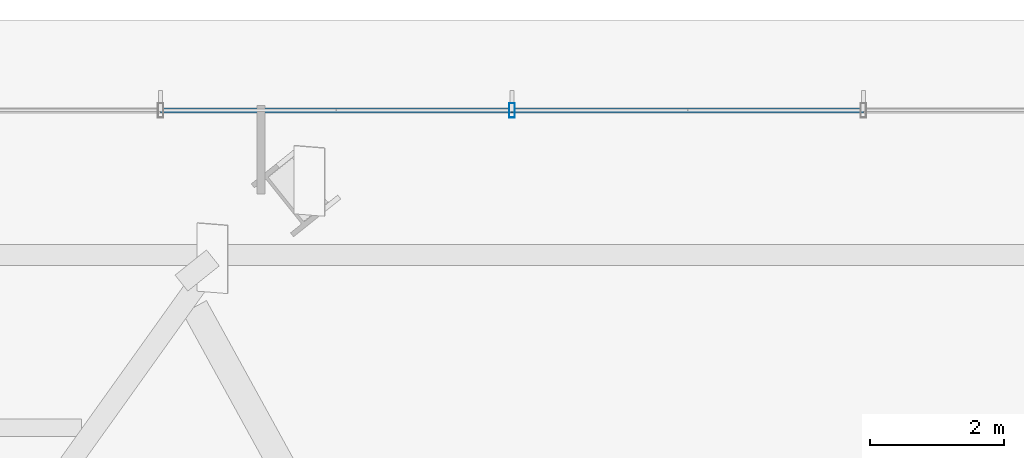
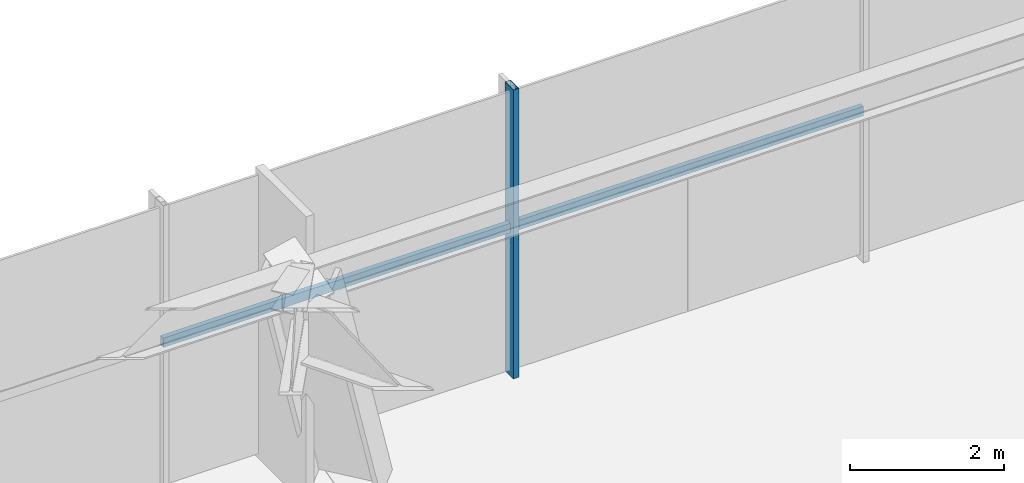
# One storey, part 16 of 31: 3 members, 1 element without a shape of its own.
"""IFC4 building model written with IfcOpenShell, lengths in metres."""

from ifc_helpers import new_model, si_unit, direction, frame, origin, origin_2d, place, context, subcontext, project, spatial, hollow_rectangle, extrude, source, transform, mapped, material, material_profile, profile_set, type_object, type_shapes, element, aggregate, save


model = new_model("IFC4")

# Units and contexts
model_context = context("Model", 3, precision=1e-05, world=origin(), true_north=direction((0.0, 1.0)))
body_context = subcontext(model_context, "Body", "Model", "MODEL_VIEW")
ifc_project = project(units=[si_unit("LENGTHUNIT", "METRE"), si_unit("AREAUNIT", "SQUARE_METRE"), si_unit("VOLUMEUNIT", "CUBIC_METRE"), si_unit("PLANEANGLEUNIT", "RADIAN"), si_unit("MASSUNIT", "GRAM", prefix="KILO")], contexts=[model_context])

# Site, building, storey
site_placement = place(None, origin())
site = spatial("IfcSite", under=ifc_project, at=site_placement, CompositionType="ELEMENT")
building_placement = place(site_placement, origin())
building = spatial("IfcBuilding", under=site, at=building_placement, Name="Astriad Promenade Condominiums", CompositionType="ELEMENT")
storey_placement = place(building_placement, origin())
storey = spatial("IfcBuildingStorey", under=building, at=storey_placement, Name="L00", CompositionType="ELEMENT", Elevation=0.0)

# Curtain wall, members
ifc_material_1 = material(Name="Anodised aluminium Black Dark Glass Unitised", Category="aluminium")
curtain_wall_type = type_object("IfcCurtainWallType", Name="CW-POD-DARK", PredefinedType="USERDEFINED", material=ifc_material_1)
curtain_wall_placement = place(storey_placement, origin())
curtain_wall = element("IfcCurtainWall", 1, at=curtain_wall_placement, inside=storey, type_object=curtain_wall_type, Name="CW-L00-N", ObjectType="UNITISED_CURTAIN_WALL", PredefinedType="USERDEFINED")
ifc_material_2 = material(Name="Anodised aluminium 6063-T6 Black", Category="aluminium")
ifc_material_profile_1 = material_profile(ifc_material_2, hollow_rectangle(XDim=0.0849609375, YDim=0.219970703125, WallThickness=0.0048828125, at=origin_2d()), Name="ALU-MUL-85X220")
ifc_profile_set_1 = profile_set([ifc_material_profile_1], Name="Anodised aluminium 6063-T6 Black")
member_type_1 = type_object("IfcMemberType", Name="MUL-ALU-MUL-85X220", PredefinedType="MULLION", material=ifc_profile_set_1)
shared_shape_1 = source(origin(), body_context, "Body", "SweptSolid", [
    extrude(hollow_rectangle(XDim=0.0849609375, YDim=0.219970703125, WallThickness=0.0048828125, at=origin_2d()), origin(), (0.0, 0.0, 1.0), 4.580078125),
])
type_shapes(member_type_1, [shared_shape_1])
member_1_placement = place(storey_placement, frame((45.0, 36.64990234375, 0.0), z_axis=(0.0, 0.0, 1.0), x_axis=(1.0, 0.0, 0.0)))
member_1 = element("IfcMember", 2, at=member_1_placement, type_object=member_type_1, Name="CW-L00-N-MUL-04", PredefinedType="MULLION", context=body_context, shape_type="MappedRepresentation", body=[
    mapped(shared_shape_1, transform((0.0, 0.0, 0.0), scale=1.0)),
])
ifc_material_profile_2 = material_profile(ifc_material_2, hollow_rectangle(XDim=0.074951171875, YDim=0.14990234375, WallThickness=0.004150390625, at=origin_2d()), Name="ALU-TRN-75X150")
ifc_profile_set_2 = profile_set([ifc_material_profile_2], Name="Anodised aluminium 6063-T6 Black")
member_type_2 = type_object("IfcMemberType", Name="TRN-ALU-TRN-75X150", PredefinedType="USERDEFINED", material=ifc_profile_set_2)
shared_shape_2 = source(origin(), body_context, "Body", "SweptSolid", [
    extrude(hollow_rectangle(XDim=0.074951171875, YDim=0.14990234375, WallThickness=0.004150390625, at=origin_2d()), origin(), (0.0, 0.0, 1.0), 5.25),
])
type_shapes(member_type_2, [shared_shape_2])
member_2_placement = place(storey_placement, frame((39.75, 36.64990234375, 2.35009765625), z_axis=(1.0, 0.0, 0.0), x_axis=(0.0, 1.0, 0.0)))
member_2 = element("IfcMember", 3, at=member_2_placement, type_object=member_type_2, Name="CW-L00-N-TRN-03-0", ObjectType="TRANSOM", PredefinedType="USERDEFINED", context=body_context, shape_type="MappedRepresentation", body=[
    mapped(shared_shape_2, transform((0.0, 0.0, 0.0), scale=1.0)),
])
member_3_placement = place(storey_placement, frame((45.0, 36.64990234375, 2.35009765625), z_axis=(1.0, 0.0, 0.0), x_axis=(0.0, 1.0, 0.0)))
member_3 = element("IfcMember", 4, at=member_3_placement, type_object=member_type_2, Name="CW-L00-N-TRN-04-0", ObjectType="TRANSOM", PredefinedType="USERDEFINED", context=body_context, shape_type="MappedRepresentation", body=[
    mapped(shared_shape_2, transform((0.0, 0.0, 0.0), scale=1.0)),
])
aggregate(curtain_wall, [member_1, member_2, member_3])

save(model, "model.ifc")
